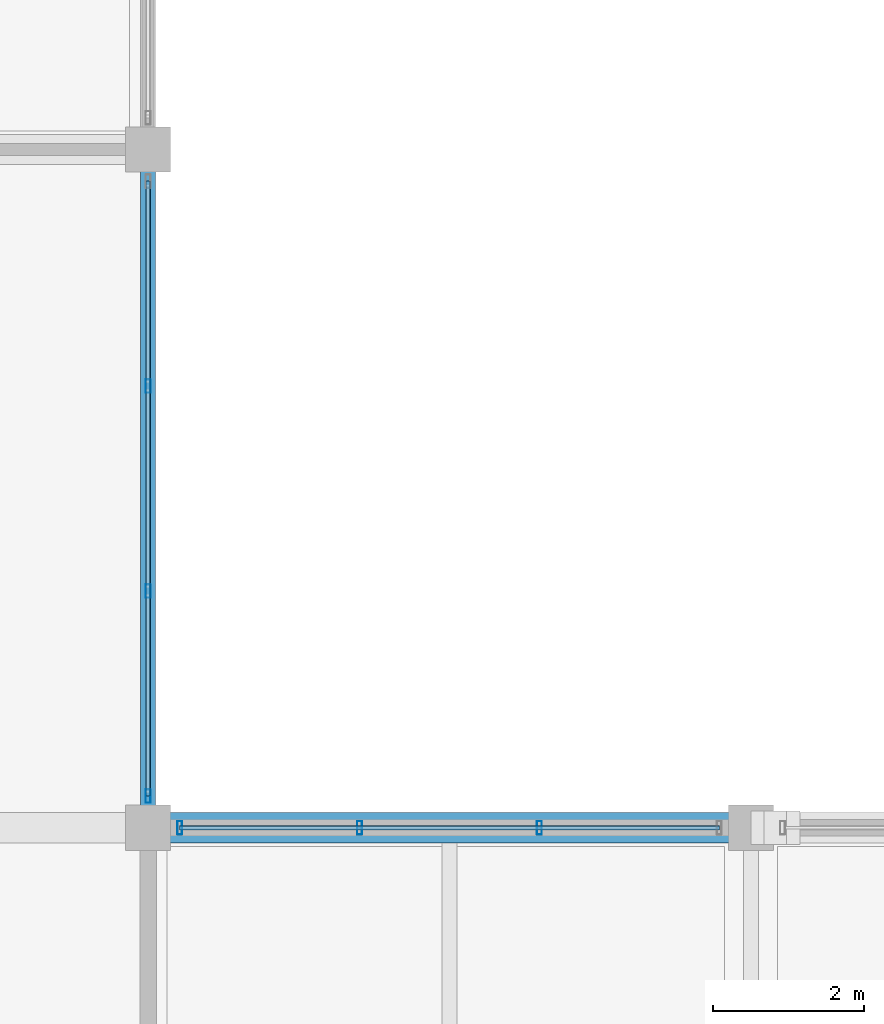
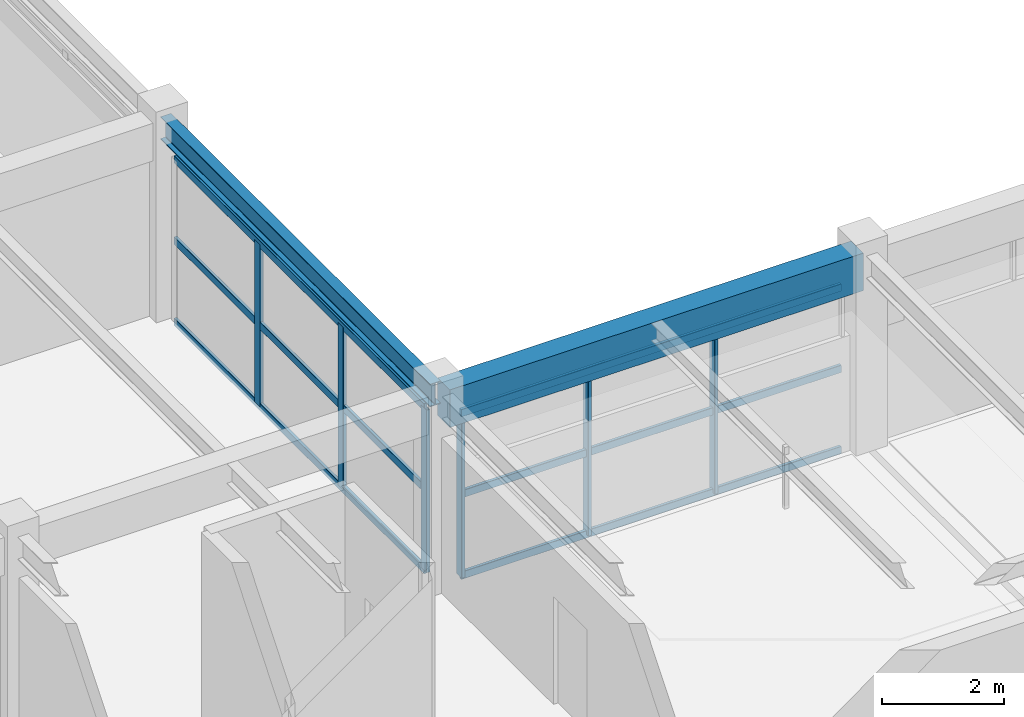
# One storey, part 14 of 126: 12 members, 2 beams, 2 elements without a shape of their own.
"""IFC4 building model written with IfcOpenShell, lengths in metres."""

from ifc_helpers import new_model, si_unit, direction, frame, origin, origin_2d, place, context, subcontext, project, spatial, rectangle, hollow_rectangle, i_section, extrude, material, material_profile, profile_set, type_object, element, aggregate, save


model = new_model("IFC4")

# Units and contexts
model_context = context("Model", 3, precision=1e-05, world=origin(), true_north=direction((0.0, 1.0)))
body_context = subcontext(model_context, "Body", "Model", "MODEL_VIEW")
ifc_project = project(units=[si_unit("LENGTHUNIT", "METRE"), si_unit("AREAUNIT", "SQUARE_METRE"), si_unit("VOLUMEUNIT", "CUBIC_METRE"), si_unit("PLANEANGLEUNIT", "RADIAN"), si_unit("MASSUNIT", "GRAM", prefix="KILO")], contexts=[model_context])

# Site, building, storey
site_placement = place(None, origin())
site = spatial("IfcSite", under=ifc_project, at=site_placement, CompositionType="ELEMENT")
building_placement = place(site_placement, origin())
building = spatial("IfcBuilding", under=site, at=building_placement, Name="Varnabhumi Central Station", CompositionType="ELEMENT")
storey_placement = place(building_placement, frame((0.0, 0.0, 16.199951171875)))
storey = spatial("IfcBuildingStorey", under=building, at=storey_placement, Name="L03", CompositionType="ELEMENT", Elevation=16.199951171875)

# Beams
ifc_material_1 = material(Name="Concrete M40", Category="concrete")
ifc_material_profile_1 = material_profile(ifc_material_1, rectangle(XDim=0.39990234375, YDim=0.75, at=origin_2d()), Name="Concrete M40", Category="concrete")
ifc_profile_set_1 = profile_set([ifc_material_profile_1], Name="Concrete M40")
beam_type_1 = type_object("IfcBeamType", Name="BM-RC-400x750", PredefinedType="BEAM", material=ifc_profile_set_1)
beam_1_placement = place(storey_placement, frame((112.10009765625, 9.0, 3.545166015625), z_axis=(1.0, 0.0, 0.0), x_axis=(0.0, 1.0, 0.0)))
element("IfcBeam", 1, at=beam_1_placement, inside=storey, type_object=beam_type_1, Name="Beam L03-B:15-16", PredefinedType="BEAM", context=body_context, shape_type="SweptSolid", body=[
    extrude(rectangle(XDim=0.39990234375, YDim=0.75, at=origin_2d()), origin(), (0.0, 0.0, 1.0), 7.7998046875),
])
ifc_material_2 = material(Name="Structural steel E350", Category="steel")
ifc_material_profile_2 = material_profile(ifc_material_2, i_section(OverallWidth=0.199951171875, OverallDepth=0.449951171875, WebThickness=0.00927734375, FlangeThickness=0.015380859375, FilletRadius=0.013916015625, at=origin_2d()), Name="Structural steel E350", Category="steel")
ifc_profile_set_2 = profile_set([ifc_material_profile_2], Name="Structural steel E350")
beam_type_2 = type_object("IfcBeamType", Name="BM-STL-ISWB450", PredefinedType="BEAM", material=ifc_profile_set_2)
beam_2_placement = place(storey_placement, frame((112.0, 9.10009765625, 3.695068359375), z_axis=(0.0, 1.0, 0.0), x_axis=(-1.0, 0.0, 0.0)))
element("IfcBeam", 2, at=beam_2_placement, inside=storey, type_object=beam_type_2, Name="Beam L03-15:B-C", PredefinedType="BEAM", context=body_context, shape_type="SweptSolid", body=[
    extrude(i_section(OverallWidth=0.199951171875, OverallDepth=0.449951171875, WebThickness=0.00927734375, FlangeThickness=0.015380859375, FilletRadius=0.013916015625, at=origin_2d()), origin(), (0.0, 0.0, 1.0), 8.7998046875),
])

# Curtain wall, members
ifc_material_3 = material(Name="Anodised aluminium 6063-T6", Category="aluminium")
curtain_wall_type = type_object("IfcCurtainWallType", Name="CW-PATIO-LOGGIA-L3", PredefinedType="NOTDEFINED", material=ifc_material_3)
curtain_wall_1_placement = place(storey_placement, origin())
curtain_wall_1 = element("IfcCurtainWall", 3, at=curtain_wall_1_placement, inside=storey, type_object=curtain_wall_type, Name="Curtain Wall CW-SP3E1", PredefinedType="NOTDEFINED")
ifc_material_profile_3 = material_profile(ifc_material_3, hollow_rectangle(XDim=0.06494140625, YDim=0.179931640625, WallThickness=0.00390625, InnerFilletRadius=0.001953125, OuterFilletRadius=0.006103515625, at=origin_2d()), Name="Anodised aluminium 6063-T6", Category="aluminium")
ifc_profile_set_3 = profile_set([ifc_material_profile_3], Name="Anodised aluminium 6063-T6")
member_type_1 = type_object("IfcMemberType", Name="CW-MUL-180", PredefinedType="MULLION", material=ifc_profile_set_3)
member_1_placement = place(storey_placement, frame((112.0, 9.419921875, 0.0), z_axis=(0.0, 0.0, 1.0), x_axis=(1.0, 0.0, 0.0)))
member_1 = element("IfcMember", 4, at=member_1_placement, type_object=member_type_1, Name="Curtain Wall Mullion CW-SP3E1-M1", PredefinedType="MULLION", context=body_context, shape_type="SweptSolid", body=[
    extrude(hollow_rectangle(XDim=0.06494140625, YDim=0.179931640625, WallThickness=0.00390625, InnerFilletRadius=0.001953125, OuterFilletRadius=0.006103515625, at=origin_2d()), origin(), (0.0, 0.0, 1.0), 3.239990234375),
])
member_2_placement = place(storey_placement, frame((112.0, 12.139892578125, 0.0), z_axis=(0.0, 0.0, 1.0), x_axis=(1.0, 0.0, 0.0)))
member_2 = element("IfcMember", 5, at=member_2_placement, type_object=member_type_1, Name="Curtain Wall Mullion CW-SP3E1-M2", PredefinedType="MULLION", context=body_context, shape_type="SweptSolid", body=[
    extrude(hollow_rectangle(XDim=0.06494140625, YDim=0.179931640625, WallThickness=0.00390625, InnerFilletRadius=0.001953125, OuterFilletRadius=0.006103515625, at=origin_2d()), origin(), (0.0, 0.0, 1.0), 3.239990234375),
])
member_3_placement = place(storey_placement, frame((112.0, 14.860107421875, 0.0), z_axis=(0.0, 0.0, 1.0), x_axis=(1.0, 0.0, 0.0)))
member_3 = element("IfcMember", 6, at=member_3_placement, type_object=member_type_1, Name="Curtain Wall Mullion CW-SP3E1-M3", PredefinedType="MULLION", context=body_context, shape_type="SweptSolid", body=[
    extrude(hollow_rectangle(XDim=0.06494140625, YDim=0.179931640625, WallThickness=0.00390625, InnerFilletRadius=0.001953125, OuterFilletRadius=0.006103515625, at=origin_2d()), origin(), (0.0, 0.0, 1.0), 3.239990234375),
])

curtain_wall_2_placement = place(storey_placement, origin())
curtain_wall_2 = element("IfcCurtainWall", 7, at=curtain_wall_2_placement, inside=storey, type_object=curtain_wall_type, Name="Curtain Wall CW-SP3S1", PredefinedType="NOTDEFINED")
member_4_placement = place(storey_placement, frame((112.419921875, 9.0, 0.0), z_axis=(0.0, 0.0, 1.0), x_axis=(1.0, 0.0, 0.0)))
member_4 = element("IfcMember", 8, at=member_4_placement, type_object=member_type_1, Name="Curtain Wall Mullion CW-SP3S1-M1", PredefinedType="MULLION", context=body_context, shape_type="SweptSolid", body=[
    extrude(hollow_rectangle(XDim=0.06494140625, YDim=0.179931640625, WallThickness=0.00390625, InnerFilletRadius=0.001953125, OuterFilletRadius=0.006103515625, at=origin_2d()), origin(), (0.0, 0.0, 1.0), 3.239990234375),
])
member_5_placement = place(storey_placement, frame((114.806640625, 9.0, 0.0), z_axis=(0.0, 0.0, 1.0), x_axis=(1.0, 0.0, 0.0)))
member_5 = element("IfcMember", 9, at=member_5_placement, type_object=member_type_1, Name="Curtain Wall Mullion CW-SP3S1-M2", PredefinedType="MULLION", context=body_context, shape_type="SweptSolid", body=[
    extrude(hollow_rectangle(XDim=0.06494140625, YDim=0.179931640625, WallThickness=0.00390625, InnerFilletRadius=0.001953125, OuterFilletRadius=0.006103515625, at=origin_2d()), origin(), (0.0, 0.0, 1.0), 3.239990234375),
])
member_6_placement = place(storey_placement, frame((117.193359375, 9.0, 0.0), z_axis=(0.0, 0.0, 1.0), x_axis=(1.0, 0.0, 0.0)))
member_6 = element("IfcMember", 10, at=member_6_placement, type_object=member_type_1, Name="Curtain Wall Mullion CW-SP3S1-M3", PredefinedType="MULLION", context=body_context, shape_type="SweptSolid", body=[
    extrude(hollow_rectangle(XDim=0.06494140625, YDim=0.179931640625, WallThickness=0.00390625, InnerFilletRadius=0.001953125, OuterFilletRadius=0.006103515625, at=origin_2d()), origin(), (0.0, 0.0, 1.0), 3.239990234375),
])

# Member
ifc_material_profile_4 = material_profile(ifc_material_3, hollow_rectangle(XDim=0.06005859375, YDim=0.14990234375, WallThickness=0.00390625, InnerFilletRadius=0.001953125, OuterFilletRadius=0.006103515625, at=origin_2d()), Name="Anodised aluminium 6063-T6", Category="aluminium")
ifc_profile_set_4 = profile_set([ifc_material_profile_4], Name="Anodised aluminium 6063-T6")
member_type_2 = type_object("IfcMemberType", Name="CW-TR-150", PredefinedType="USERDEFINED", material=ifc_profile_set_4)
member_7_placement = place(storey_placement, frame((112.0, 9.419921875, 0.0), z_axis=(0.0, 1.0, 0.0), x_axis=(-1.0, 0.0, 0.0)))
member_7 = element("IfcMember", 11, at=member_7_placement, type_object=member_type_2, Name="Curtain Wall Transom CW-SP3E1-T1", ObjectType="TRANSOM", PredefinedType="USERDEFINED", context=body_context, shape_type="SweptSolid", body=[
    extrude(hollow_rectangle(XDim=0.06005859375, YDim=0.14990234375, WallThickness=0.00390625, InnerFilletRadius=0.001953125, OuterFilletRadius=0.006103515625, at=origin_2d()), origin(), (0.0, 0.0, 1.0), 8.16015625),
])

member_8_placement = place(storey_placement, frame((112.0, 9.419921875, 1.6201171875), z_axis=(0.0, 1.0, 0.0), x_axis=(-1.0, 0.0, 0.0)))
member_8 = element("IfcMember", 12, at=member_8_placement, type_object=member_type_2, Name="Curtain Wall Transom CW-SP3E1-T2", ObjectType="TRANSOM", PredefinedType="USERDEFINED", context=body_context, shape_type="SweptSolid", body=[
    extrude(hollow_rectangle(XDim=0.06005859375, YDim=0.14990234375, WallThickness=0.00390625, InnerFilletRadius=0.001953125, OuterFilletRadius=0.006103515625, at=origin_2d()), origin(), (0.0, 0.0, 1.0), 8.16015625),
])

member_9_placement = place(storey_placement, frame((112.0, 9.419921875, 3.239990234375), z_axis=(0.0, 1.0, 0.0), x_axis=(-1.0, 0.0, 0.0)))
member_9 = element("IfcMember", 13, at=member_9_placement, type_object=member_type_2, Name="Curtain Wall Transom CW-SP3E1-T3", ObjectType="TRANSOM", PredefinedType="USERDEFINED", context=body_context, shape_type="SweptSolid", body=[
    extrude(hollow_rectangle(XDim=0.06005859375, YDim=0.14990234375, WallThickness=0.00390625, InnerFilletRadius=0.001953125, OuterFilletRadius=0.006103515625, at=origin_2d()), origin(), (0.0, 0.0, 1.0), 8.16015625),
])

aggregate(curtain_wall_1, [member_1, member_2, member_3, member_7, member_8, member_9])

member_10_placement = place(storey_placement, frame((112.419921875, 9.0, 0.0), z_axis=(1.0, 0.0, 0.0), x_axis=(0.0, 1.0, 0.0)))
member_10 = element("IfcMember", 14, at=member_10_placement, type_object=member_type_2, Name="Curtain Wall Transom CW-SP3S1-T1", ObjectType="TRANSOM", PredefinedType="USERDEFINED", context=body_context, shape_type="SweptSolid", body=[
    extrude(hollow_rectangle(XDim=0.06005859375, YDim=0.14990234375, WallThickness=0.00390625, InnerFilletRadius=0.001953125, OuterFilletRadius=0.006103515625, at=origin_2d()), origin(), (0.0, 0.0, 1.0), 7.16015625),
])

member_11_placement = place(storey_placement, frame((112.419921875, 9.0, 1.6201171875), z_axis=(1.0, 0.0, 0.0), x_axis=(0.0, 1.0, 0.0)))
member_11 = element("IfcMember", 15, at=member_11_placement, type_object=member_type_2, Name="Curtain Wall Transom CW-SP3S1-T2", ObjectType="TRANSOM", PredefinedType="USERDEFINED", context=body_context, shape_type="SweptSolid", body=[
    extrude(hollow_rectangle(XDim=0.06005859375, YDim=0.14990234375, WallThickness=0.00390625, InnerFilletRadius=0.001953125, OuterFilletRadius=0.006103515625, at=origin_2d()), origin(), (0.0, 0.0, 1.0), 7.16015625),
])

member_12_placement = place(storey_placement, frame((112.419921875, 9.0, 3.239990234375), z_axis=(1.0, 0.0, 0.0), x_axis=(0.0, 1.0, 0.0)))
member_12 = element("IfcMember", 16, at=member_12_placement, type_object=member_type_2, Name="Curtain Wall Transom CW-SP3S1-T3", ObjectType="TRANSOM", PredefinedType="USERDEFINED", context=body_context, shape_type="SweptSolid", body=[
    extrude(hollow_rectangle(XDim=0.06005859375, YDim=0.14990234375, WallThickness=0.00390625, InnerFilletRadius=0.001953125, OuterFilletRadius=0.006103515625, at=origin_2d()), origin(), (0.0, 0.0, 1.0), 7.16015625),
])

aggregate(curtain_wall_2, [member_4, member_5, member_6, member_10, member_11, member_12])

save(model, "model.ifc")
